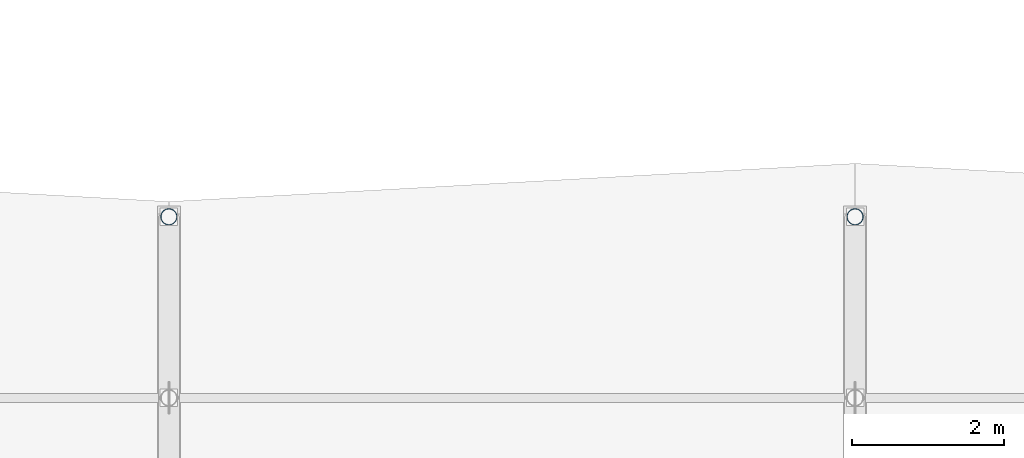
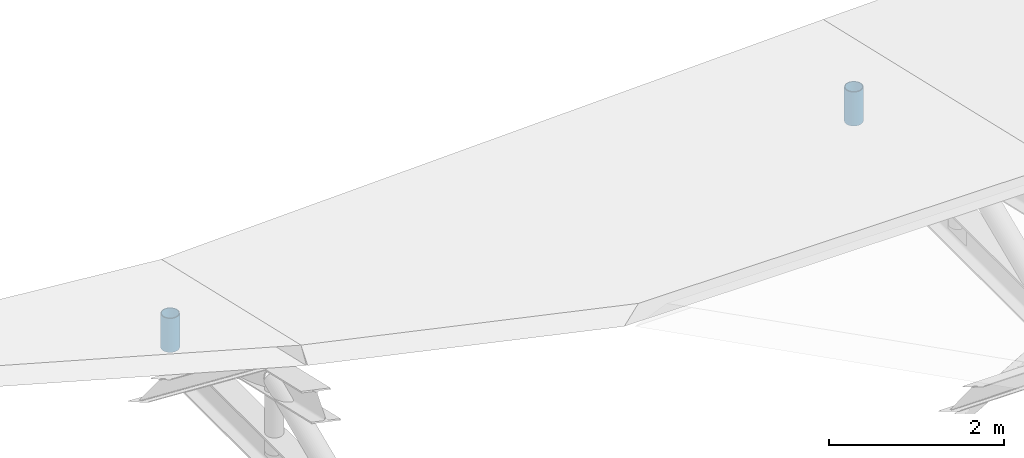
# One storey, part 33 of 61: 2 members.
"""IFC4 building model written with IfcOpenShell, lengths in metres."""

from ifc_helpers import new_model, si_unit, direction, frame, origin, origin_2d, place, context, subcontext, project, spatial, hollow_circle, extrude, material, material_profile, profile_set, type_object, element, save


model = new_model("IFC4")

# Units and contexts
model_context = context("Model", 3, precision=1e-05, world=origin(), true_north=direction((0.0, 1.0)))
body_context = subcontext(model_context, "Body", "Model", "MODEL_VIEW")
ifc_project = project(units=[si_unit("LENGTHUNIT", "METRE"), si_unit("AREAUNIT", "SQUARE_METRE"), si_unit("VOLUMEUNIT", "CUBIC_METRE"), si_unit("PLANEANGLEUNIT", "RADIAN"), si_unit("MASSUNIT", "GRAM", prefix="KILO")], contexts=[model_context])

# Site, building, storey
site_placement = place(None, origin())
site = spatial("IfcSite", under=ifc_project, at=site_placement, CompositionType="ELEMENT")
building_placement = place(site_placement, origin())
building = spatial("IfcBuilding", under=site, at=building_placement, Name="Bozkorgan Art Gallery", CompositionType="ELEMENT")
storey_placement = place(building_placement, frame((0.0, 0.0, 10.199951171875)))
storey = spatial("IfcBuildingStorey", under=building, at=storey_placement, Name="L02", CompositionType="ELEMENT", Elevation=10.199951171875)

# Members
ifc_material = material(Name="Steel S355J2", Category="steel")
ifc_material_profile = material_profile(ifc_material, hollow_circle(Radius=0.109619140625, WallThickness=0.010009765625, at=origin_2d()), Name="CHS 219.1x10")
ifc_profile_set = profile_set([ifc_material_profile], Name="Steel S355J2")
member_type = type_object("IfcMemberType", Name="MEMBER-TP-78", PredefinedType="POST", material=ifc_profile_set)
for number, where, z_axis, x_axis, name in (
    (1, (83.0, 102.949951171875, 0.25), (0.0, 0.0, 1.0), (1.0, 0.0, 0.0), "ROOF-V4-STEP2 roof truss 2 post 4"),
    (2, (92.0, 102.949951171875, 0.25), (0.0, 0.0, 1.0), (1.0, 0.0, 0.0), "ROOF-V4-STEP2 roof truss 3 post 4"),
):
    element("IfcMember", number, at=place(storey_placement, frame(where, z_axis=z_axis, x_axis=x_axis)), inside=storey, type_object=member_type, Name=name, PredefinedType="POST", context=body_context, shape_type="SweptSolid", body=[
        extrude(hollow_circle(Radius=0.109619140625, WallThickness=0.010009765625, at=origin_2d()), origin(), (0.0, 0.0, 1.0), 0.473388671875),
    ])

save(model, "model.ifc")
